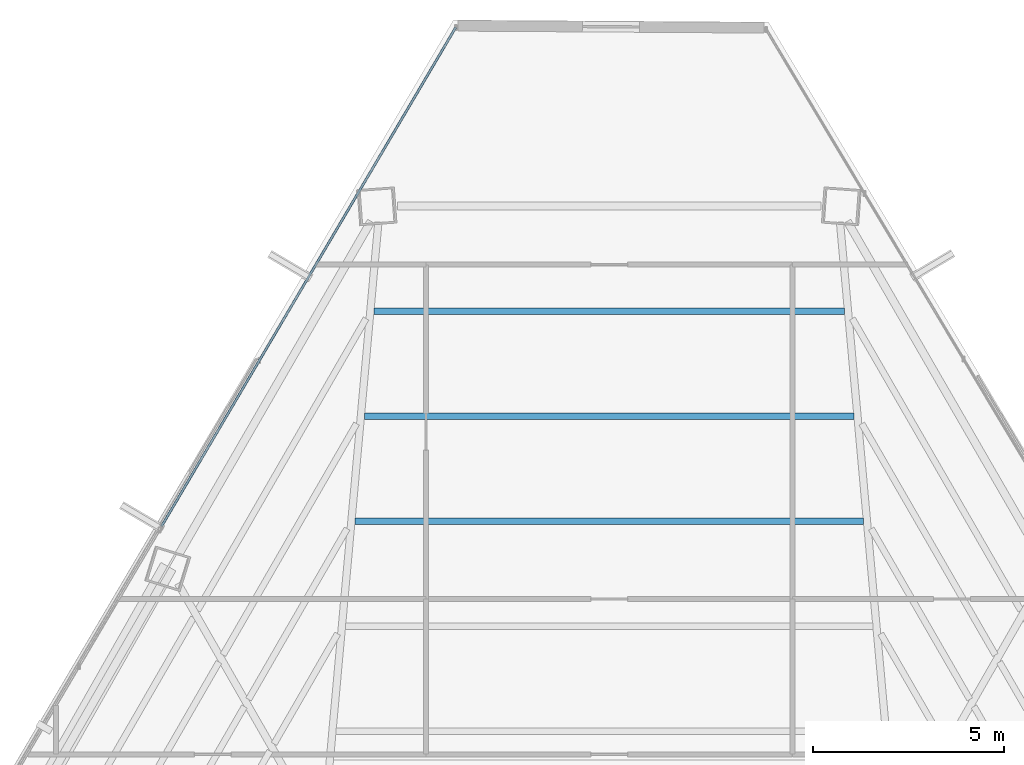
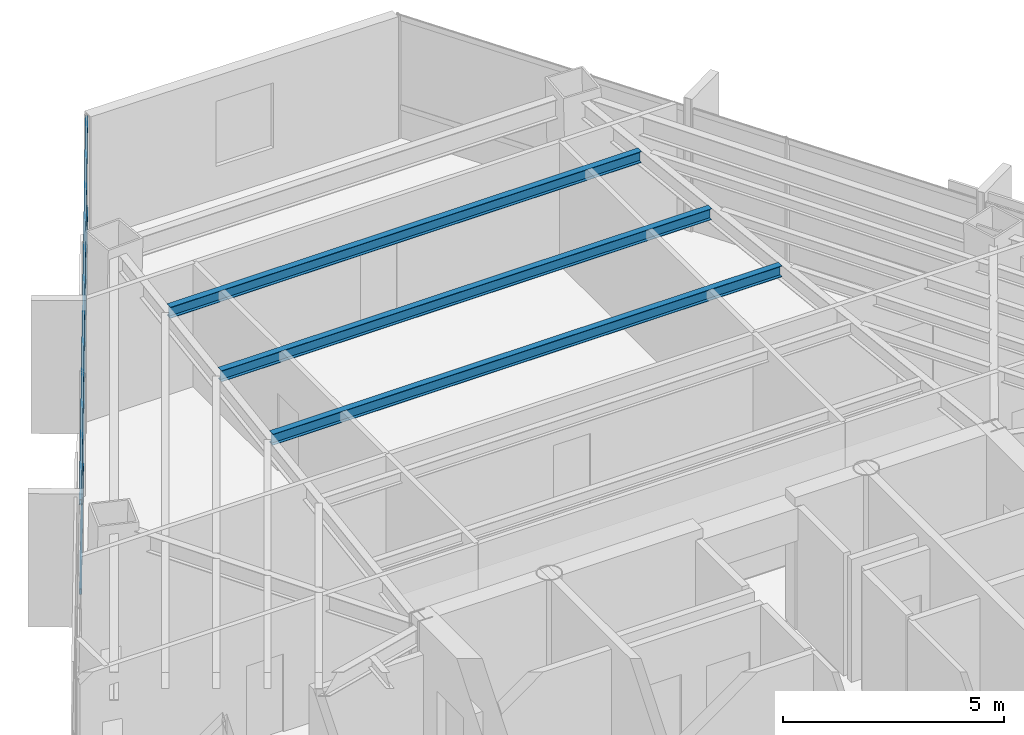
# One storey, part 29 of 41: 3 beams, 2 members, 1 element without a shape of its own.
"""IFC4 building model written with IfcOpenShell, lengths in metres."""

from ifc_helpers import new_model, si_unit, direction, frame, origin, origin_2d, place, context, subcontext, project, spatial, hollow_rectangle, i_section, extrude, source, transform, mapped, material, material_profile, profile_set, type_object, type_shapes, element, aggregate, save


model = new_model("IFC4")

# Units and contexts
model_context = context("Model", 3, precision=1e-05, world=origin(), true_north=direction((0.0, 1.0)))
body_context = subcontext(model_context, "Body", "Model", "MODEL_VIEW")
ifc_project = project(units=[si_unit("LENGTHUNIT", "METRE"), si_unit("AREAUNIT", "SQUARE_METRE"), si_unit("VOLUMEUNIT", "CUBIC_METRE"), si_unit("PLANEANGLEUNIT", "RADIAN"), si_unit("MASSUNIT", "GRAM", prefix="KILO")], contexts=[model_context])

# Site, building, storey
site_placement = place(None, origin())
site = spatial("IfcSite", under=ifc_project, at=site_placement, CompositionType="ELEMENT")
building_placement = place(site_placement, origin())
building = spatial("IfcBuilding", under=site, at=building_placement, Name="Caelisora Broadcast Tower", CompositionType="ELEMENT")
storey_placement = place(building_placement, frame((0.0, 0.0, 162.14990234375)))
storey = spatial("IfcBuildingStorey", under=building, at=storey_placement, Name="L42", CompositionType="ELEMENT", Elevation=162.14990234375)

# Beams
ifc_material_1 = material(Name="Steel Grade 350 (AS/NZS 3679.1)", Category="steel")
ifc_material_profile_1 = material_profile(ifc_material_1, i_section(OverallWidth=0.166015625, OverallDepth=0.30712890625, WebThickness=0.006591796875, FlangeThickness=0.01171875, at=origin_2d()), Name="Steel Grade 350 (AS/NZS 3679.1)")
ifc_profile_set_1 = profile_set([ifc_material_profile_1], Name="Steel Grade 350 (AS/NZS 3679.1)")
beam_type = type_object("IfcBeamType", Name="SB03", PredefinedType="JOIST", material=ifc_profile_set_1)
shared_shape_1 = source(origin(), body_context, "Body", "SweptSolid", [
    extrude(i_section(OverallWidth=0.166015625, OverallDepth=0.30712890625, WebThickness=0.006591796875, FlangeThickness=0.01171875, at=origin_2d()), origin(), (0.0, 0.0, 1.0), 13.32421875),
])
beam_1_placement = place(storey_placement, frame((44.662109375, 38.257568359375, 3.24658203125), z_axis=(-1.0, 0.0, 0.0), x_axis=(0.0, -1.0, 0.0)))
element("IfcBeam", 1, at=beam_1_placement, inside=storey, type_object=beam_type, Name="L42 beam SB03", PredefinedType="JOIST", context=body_context, shape_type="MappedRepresentation", body=[
    mapped(shared_shape_1, transform((0.0, 0.0, 0.0), scale=1.0)),
])
shared_shape_2 = source(origin(), body_context, "Body", "SweptSolid", [
    extrude(i_section(OverallWidth=0.166015625, OverallDepth=0.30712890625, WebThickness=0.006591796875, FlangeThickness=0.01171875, at=origin_2d()), origin(), (0.0, 0.0, 1.0), 12.82763671875),
])
beam_2_placement = place(storey_placement, frame((44.413818359375, 41.010009765625, 3.24658203125), z_axis=(-1.0, 0.0, 0.0), x_axis=(0.0, -1.0, 0.0)))
element("IfcBeam", 2, at=beam_2_placement, inside=storey, type_object=beam_type, Name="L42 beam SB03", PredefinedType="JOIST", context=body_context, shape_type="MappedRepresentation", body=[
    mapped(shared_shape_2, transform((0.0, 0.0, 0.0), scale=1.0)),
])
shared_shape_3 = source(origin(), body_context, "Body", "SweptSolid", [
    extrude(i_section(OverallWidth=0.166015625, OverallDepth=0.30712890625, WebThickness=0.006591796875, FlangeThickness=0.01171875, at=origin_2d()), origin(), (0.0, 0.0, 1.0), 12.3310546875),
])
type_shapes(beam_type, [shared_shape_1, shared_shape_2, shared_shape_3])
beam_3_placement = place(storey_placement, frame((44.16552734375, 43.7626953125, 3.24658203125), z_axis=(-1.0, 0.0, 0.0), x_axis=(0.0, -1.0, 0.0)))
element("IfcBeam", 3, at=beam_3_placement, inside=storey, type_object=beam_type, Name="L42 beam SB03", PredefinedType="JOIST", context=body_context, shape_type="MappedRepresentation", body=[
    mapped(shared_shape_3, transform((0.0, 0.0, 0.0), scale=1.0)),
])

# Curtain wall, members
ifc_material_2 = material(Name="Unitised Aluminium and Low-E Glass Curtain Wall", Category="glass")
curtain_wall_type = type_object("IfcCurtainWallType", Name="CW-Z3", PredefinedType="NOTDEFINED", material=ifc_material_2)
curtain_wall_placement = place(storey_placement, origin())
curtain_wall = element("IfcCurtainWall", 4, at=curtain_wall_placement, inside=storey, type_object=curtain_wall_type, Name="L42 curtain wall CW-Z3", PredefinedType="NOTDEFINED")
ifc_material_3 = material(Name="Aluminium 6063-T6 Anodised Terracotta Bronze", Category="aluminium")
ifc_material_profile_2 = material_profile(ifc_material_3, hollow_rectangle(XDim=0.06005859375, YDim=0.14990234375, WallThickness=0.00341796875, at=origin_2d()), Name="Aluminium 6063-T6 Anodised Terracotta Bronze")
ifc_profile_set_2 = profile_set([ifc_material_profile_2], Name="Aluminium 6063-T6 Anodised Terracotta Bronze")
member_type = type_object("IfcMemberType", Name="CWT-02", PredefinedType="USERDEFINED", material=ifc_profile_set_2)
shared_shape_4 = source(origin(), body_context, "Body", "SweptSolid", [
    extrude(hollow_rectangle(XDim=0.06005859375, YDim=0.14990234375, WallThickness=0.00341796875, at=origin_2d()), origin(), (0.0, 0.0, 1.0), 15.1767578125),
])
type_shapes(member_type, [shared_shape_4])
member_1_placement = place(storey_placement, frame((26.2705078125, 38.125, 0.85009765625), z_axis=(0.507949213177, 0.861387019192, 0.0), x_axis=(-0.861387019192, 0.507949213177, 0.0)))
member_1 = element("IfcMember", 5, at=member_1_placement, type_object=member_type, Name="L42-CW-B11 transom #1", ObjectType="TRANSOM", PredefinedType="USERDEFINED", context=body_context, shape_type="MappedRepresentation", body=[
    mapped(shared_shape_4, transform((0.0, 0.0, 0.0), scale=1.0)),
])
member_2_placement = place(storey_placement, frame((26.2705078125, 38.125, 3.320068359375), z_axis=(0.507949213177, 0.861387019192, 0.0), x_axis=(-0.861387019192, 0.507949213177, 0.0)))
member_2 = element("IfcMember", 6, at=member_2_placement, type_object=member_type, Name="L42-CW-B11 transom #2", ObjectType="TRANSOM", PredefinedType="USERDEFINED", context=body_context, shape_type="MappedRepresentation", body=[
    mapped(shared_shape_4, transform((0.0, 0.0, 0.0), scale=1.0)),
])
aggregate(curtain_wall, [member_1, member_2])

save(model, "model.ifc")
